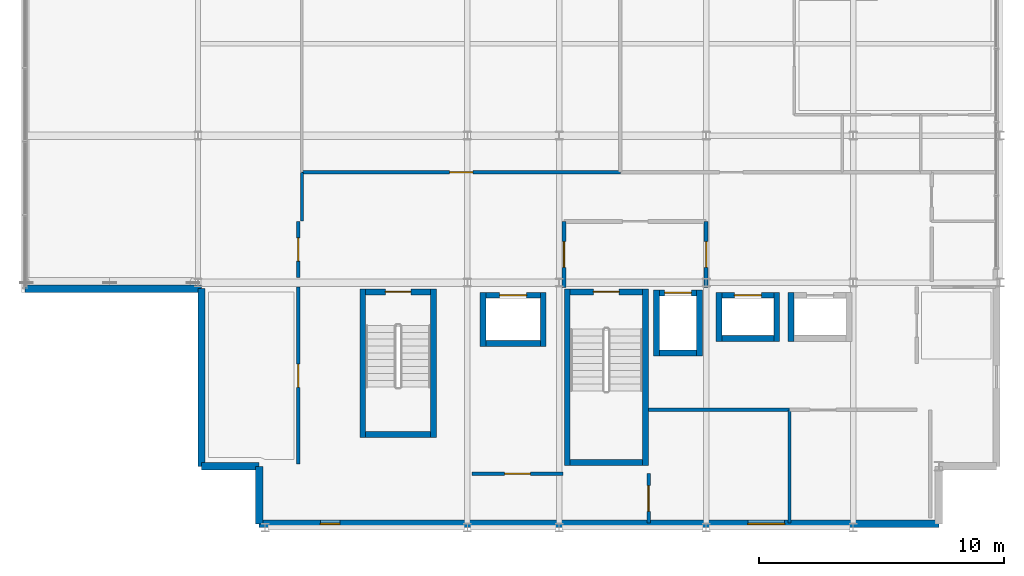
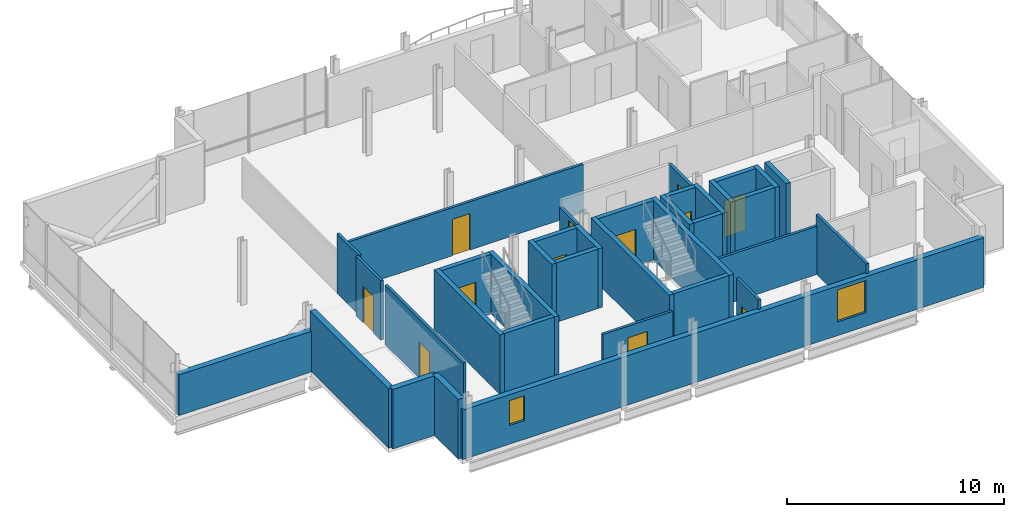
# One storey, part 14 of 18: 36 walls, 12 doors, 2 windows, 14 openings.
"""IFC4 building model written with IfcOpenShell, lengths in metres."""

from ifc_helpers import new_model, si_unit, direction, frame, frame_2d, origin, place, context, subcontext, project, spatial, rectangle, extrude, material, layer, layer_set, type_object, element, fill, save


model = new_model("IFC4")

# Units and contexts
model_context = context("Model", 3, precision=1e-05, world=origin(), true_north=direction((0.0, 1.0)))
body_context = subcontext(model_context, "Body", "Model", "MODEL_VIEW")
ifc_project = project(units=[si_unit("LENGTHUNIT", "METRE"), si_unit("AREAUNIT", "SQUARE_METRE"), si_unit("VOLUMEUNIT", "CUBIC_METRE"), si_unit("PLANEANGLEUNIT", "RADIAN"), si_unit("MASSUNIT", "GRAM", prefix="KILO")], contexts=[model_context])

# Site, building, storey
site_placement = place(None, origin())
site = spatial("IfcSite", under=ifc_project, at=site_placement, CompositionType="ELEMENT")
building_placement = place(site_placement, origin())
building = spatial("IfcBuilding", under=site, at=building_placement, Name="Brevholm Reach", CompositionType="ELEMENT")
storey_placement = place(building_placement, frame((0.0, 0.0, 240.050048828125)))
storey = spatial("IfcBuildingStorey", under=building, at=storey_placement, Name="L73", CompositionType="ELEMENT", Elevation=240.050048828125)

# Walls
ifc_material_1 = material(Name="Concrete C45/55", Category="concrete")
ifc_layer_1 = layer(ifc_material_1, 0.239990234375)
ifc_layer_set_1 = layer_set([ifc_layer_1], Name="Concrete C45/55")
wall_type_1 = type_object("IfcWallType", Name="WAL-COR-240", PredefinedType="SHEAR", material=ifc_layer_set_1)
for number, where, z_axis, x_axis, name in (
    (1, (42.330078125, 2.5400390625, 0.0), (0.0, 0.0, 1.0), (0.0, 1.0, 0.0), "L73 Escape Stair ST-2 Core Wall W"),
    (2, (45.52001953125, 2.5400390625, 0.0), (0.0, 0.0, 1.0), (0.0, 1.0, 0.0), "L73 Escape Stair ST-2 Core Wall E"),
):
    element("IfcWall", number, at=place(storey_placement, frame(where, z_axis=z_axis, x_axis=x_axis)), inside=storey, type_object=wall_type_1, Name=name, PredefinedType="SHEAR", context=body_context, shape_type="SweptSolid", body=[
        extrude(rectangle(XDim=7.199951171875, YDim=0.239990234375, at=frame_2d((3.60009765625, 0.0))), origin(), (0.0, 0.0, 1.0), 3.349853515625),
    ])
wall_1_placement = place(storey_placement, frame((42.449951171875, 2.659912109375, 0.0), z_axis=(0.0, 0.0, 1.0), x_axis=(1.0, 0.0, 0.0)))
element("IfcWall", 3, at=wall_1_placement, inside=storey, type_object=wall_type_1, Name="L73 Escape Stair ST-2 Core Wall S", PredefinedType="SHEAR", context=body_context, shape_type="SweptSolid", body=[
    extrude(rectangle(XDim=2.949951171875, YDim=0.239990234375, at=frame_2d((1.47509765625, 0.0))), origin(), (0.0, 0.0, 1.0), 3.349853515625),
])

# Wall, opening, door
wall_2_placement = place(storey_placement, frame((45.39990234375, 9.6201171875, 0.0), z_axis=(0.0, 0.0, 1.0), x_axis=(-1.0, 0.0, 0.0)))
wall_2 = element("IfcWall", 4, at=wall_2_placement, inside=storey, type_object=wall_type_1, Name="L73 Escape Stair ST-2 Core Wall N", PredefinedType="SHEAR", context=body_context, shape_type="SweptSolid", body=[
    extrude(rectangle(XDim=2.949951171875, YDim=0.239990234375, at=frame_2d((1.47509765625, 0.0))), origin(), (0.0, 0.0, 1.0), 3.349853515625),
])
opening_1_placement = place(wall_2_placement, frame((0.949951171875, 0.0, 0.0)))
opening_1 = element("IfcOpeningElement", 5, at=opening_1_placement, cuts=wall_2, Name="Opening SD-ST-2", PredefinedType="OPENING", context=body_context, shape_type="SweptSolid", body=[
    extrude(rectangle(XDim=1.050048828125, YDim=2.06005859375, at=frame_2d((0.52490234375, 1.030029296875))), frame((0.0, 0.1298828125, 0.0), z_axis=(0.0, -1.0, 0.0), x_axis=(1.0, 0.0, 0.0)), (0.0, 0.0, 1.0), 0.260009765625),
])
ifc_material_2 = material(Name="Hardwood-Lipped Steel-Core Fire and Smoke Door", Category="steel")
door_type_1 = type_object("IfcDoorType", Name="DOR-INT-FD60S", OperationType="NOTDEFINED", PredefinedType="DOOR", material=ifc_material_2)
door_1_placement = place(opening_1_placement, origin())
door_1 = element("IfcDoor", 6, at=door_1_placement, inside=storey, type_object=door_type_1, Name="L73 Protected Stair ST-2 Lobby Door", OperationType="SINGLE_SWING_RIGHT", OverallHeight=2.06005859375, OverallWidth=1.050048828125, PredefinedType="DOOR", context=body_context, shape_type="SweptSolid", body=[
    extrude(rectangle(XDim=1.050048828125, YDim=2.06005859375, at=frame_2d((0.52490234375, 1.030029296875))), frame((0.0, 0.02490234375, 0.0), z_axis=(0.0, -1.0, 0.0), x_axis=(1.0, 0.0, 0.0)), (0.0, 0.0, 1.0), 0.050048828125),
])
fill(opening_1, door_1)

# Walls
for number, where, z_axis, x_axis, name in (
    (7, (33.97998046875, 3.679931640625, 0.0), (0.0, 0.0, 1.0), (0.0, 1.0, 0.0), "L73 Escape Stair ST-3 Core Wall W"),
    (8, (36.8701171875, 3.679931640625, 0.0), (0.0, 0.0, 1.0), (0.0, 1.0, 0.0), "L73 Escape Stair ST-3 Core Wall E"),
):
    element("IfcWall", number, at=place(storey_placement, frame(where, z_axis=z_axis, x_axis=x_axis)), inside=storey, type_object=wall_type_1, Name=name, PredefinedType="SHEAR", context=body_context, shape_type="SweptSolid", body=[
        extrude(rectangle(XDim=6.06005859375, YDim=0.239990234375, at=frame_2d((3.030029296875, 0.0))), origin(), (0.0, 0.0, 1.0), 3.349853515625),
    ])
wall_3_placement = place(storey_placement, frame((34.10009765625, 3.800048828125, 0.0), z_axis=(0.0, 0.0, 1.0), x_axis=(1.0, 0.0, 0.0)))
element("IfcWall", 9, at=wall_3_placement, inside=storey, type_object=wall_type_1, Name="L73 Escape Stair ST-3 Core Wall S", PredefinedType="SHEAR", context=body_context, shape_type="SweptSolid", body=[
    extrude(rectangle(XDim=2.64990234375, YDim=0.239990234375, at=frame_2d((1.324951171875, 0.0))), origin(), (0.0, 0.0, 1.0), 3.349853515625),
])

# Wall, opening, door
wall_4_placement = place(storey_placement, frame((36.75, 9.6201171875, 0.0), z_axis=(0.0, 0.0, 1.0), x_axis=(-1.0, 0.0, 0.0)))
wall_4 = element("IfcWall", 10, at=wall_4_placement, inside=storey, type_object=wall_type_1, Name="L73 Escape Stair ST-3 Core Wall N", PredefinedType="SHEAR", context=body_context, shape_type="SweptSolid", body=[
    extrude(rectangle(XDim=2.64990234375, YDim=0.239990234375, at=frame_2d((1.324951171875, 0.0))), origin(), (0.0, 0.0, 1.0), 3.349853515625),
])
opening_2_placement = place(wall_4_placement, frame((0.800048828125, 0.0, 0.0)))
opening_2 = element("IfcOpeningElement", 11, at=opening_2_placement, cuts=wall_4, Name="Opening SD-ST-3", PredefinedType="OPENING", context=body_context, shape_type="SweptSolid", body=[
    extrude(rectangle(XDim=1.050048828125, YDim=2.06005859375, at=frame_2d((0.52490234375, 1.030029296875))), frame((0.0, 0.1298828125, 0.0), z_axis=(0.0, -1.0, 0.0), x_axis=(1.0, 0.0, 0.0)), (0.0, 0.0, 1.0), 0.260009765625),
])
door_2_placement = place(opening_2_placement, origin())
door_2 = element("IfcDoor", 12, at=door_2_placement, inside=storey, type_object=door_type_1, Name="L73 Protected Stair ST-3 Lobby Door", OperationType="SINGLE_SWING_RIGHT", OverallHeight=2.06005859375, OverallWidth=1.050048828125, PredefinedType="DOOR", context=body_context, shape_type="SweptSolid", body=[
    extrude(rectangle(XDim=1.050048828125, YDim=2.06005859375, at=frame_2d((0.52490234375, 1.030029296875))), frame((0.0, 0.02490234375, 0.0), z_axis=(0.0, -1.0, 0.0), x_axis=(1.0, 0.0, 0.0)), (0.0, 0.0, 1.0), 0.050048828125),
])
fill(opening_2, door_2)

# Walls
for number, where, z_axis, x_axis, name in (
    (13, (45.969970703125, 7.0, 0.0), (0.0, 0.0, 1.0), (0.0, 1.0, 0.0), "L73 Lift FFL-2 Shaft Wall W"),
    (14, (47.72998046875, 7.0, 0.0), (0.0, 0.0, 1.0), (0.0, 1.0, 0.0), "L73 Lift FFL-2 Shaft Wall E"),
):
    element("IfcWall", number, at=place(storey_placement, frame(where, z_axis=z_axis, x_axis=x_axis)), inside=storey, type_object=wall_type_1, Name=name, PredefinedType="SHEAR", context=body_context, shape_type="SweptSolid", body=[
        extrude(rectangle(XDim=2.699951171875, YDim=0.239990234375, at=frame_2d((1.35009765625, 0.0))), origin(), (0.0, 0.0, 1.0), 3.349853515625),
    ])
wall_5_placement = place(storey_placement, frame((46.090087890625, 7.1201171875, 0.0), z_axis=(0.0, 0.0, 1.0), x_axis=(1.0, 0.0, 0.0)))
element("IfcWall", 15, at=wall_5_placement, inside=storey, type_object=wall_type_1, Name="L73 Lift FFL-2 Shaft Wall S", PredefinedType="SHEAR", context=body_context, shape_type="SweptSolid", body=[
    extrude(rectangle(XDim=1.52001953125, YDim=0.239990234375, at=frame_2d((0.760009765625, 0.0))), origin(), (0.0, 0.0, 1.0), 3.349853515625),
])

# Wall, opening, door
wall_6_placement = place(storey_placement, frame((46.090087890625, 9.580078125, 0.0), z_axis=(0.0, 0.0, 1.0), x_axis=(1.0, 0.0, 0.0)))
wall_6 = element("IfcWall", 16, at=wall_6_placement, inside=storey, type_object=wall_type_1, Name="L73 Lift FFL-2 Shaft Wall N", PredefinedType="SHEAR", context=body_context, shape_type="SweptSolid", body=[
    extrude(rectangle(XDim=1.52001953125, YDim=0.239990234375, at=frame_2d((0.760009765625, 0.0))), origin(), (0.0, 0.0, 1.0), 3.349853515625),
])
opening_3_placement = place(wall_6_placement, frame((0.2099609375, 0.0, 0.0)))
opening_3 = element("IfcOpeningElement", 17, at=opening_3_placement, cuts=wall_6, Name="Opening LD-FFL-2", PredefinedType="OPENING", context=body_context, shape_type="SweptSolid", body=[
    extrude(rectangle(XDim=1.10009765625, YDim=2.06005859375, at=frame_2d((0.550048828125, 1.030029296875))), frame((0.0, 0.1298828125, 0.0), z_axis=(0.0, -1.0, 0.0), x_axis=(1.0, 0.0, 0.0)), (0.0, 0.0, 1.0), 0.260009765625),
])
ifc_material_3 = material(Name="Brushed Stainless Steel Fire-Rated Sliding Lift Door", Category="steel")
door_type_2 = type_object("IfcDoorType", Name="DOR-LFT-1100", OperationType="NOTDEFINED", PredefinedType="DOOR", material=ifc_material_3)
door_3_placement = place(opening_3_placement, origin())
door_3 = element("IfcDoor", 18, at=door_3_placement, inside=storey, type_object=door_type_2, Name="L73 Lift FFL-2 Sliding Landing Door", OperationType="SLIDING_TO_RIGHT", OverallHeight=2.06005859375, OverallWidth=1.10009765625, PredefinedType="DOOR", context=body_context, shape_type="SweptSolid", body=[
    extrude(rectangle(XDim=1.10009765625, YDim=2.06005859375, at=frame_2d((0.550048828125, 1.030029296875))), frame((0.0, 0.02490234375, 0.0), z_axis=(0.0, -1.0, 0.0), x_axis=(1.0, 0.0, 0.0)), (0.0, 0.0, 1.0), 0.050048828125),
])
fill(opening_3, door_3)

# Walls
for number, where, z_axis, x_axis, name in (
    (19, (38.889892578125, 7.39990234375, 0.0), (0.0, 0.0, 1.0), (0.0, 1.0, 0.0), "L73 Lift PL-S1 Shaft Wall W"),
    (20, (41.35009765625, 7.39990234375, 0.0), (0.0, 0.0, 1.0), (0.0, 1.0, 0.0), "L73 Lift PL-S1 Shaft Wall E"),
):
    element("IfcWall", number, at=place(storey_placement, frame(where, z_axis=z_axis, x_axis=x_axis)), inside=storey, type_object=wall_type_1, Name=name, PredefinedType="SHEAR", context=body_context, shape_type="SweptSolid", body=[
        extrude(rectangle(XDim=2.2001953125, YDim=0.239990234375, at=frame_2d((1.10009765625, 0.0))), origin(), (0.0, 0.0, 1.0), 3.349853515625),
    ])
wall_7_placement = place(storey_placement, frame((39.010009765625, 7.52001953125, 0.0), z_axis=(0.0, 0.0, 1.0), x_axis=(1.0, 0.0, 0.0)))
element("IfcWall", 21, at=wall_7_placement, inside=storey, type_object=wall_type_1, Name="L73 Lift PL-S1 Shaft Wall S", PredefinedType="SHEAR", context=body_context, shape_type="SweptSolid", body=[
    extrude(rectangle(XDim=2.219970703125, YDim=0.239990234375, at=frame_2d((1.10986328125, 0.0))), origin(), (0.0, 0.0, 1.0), 3.349853515625),
])

# Wall, opening, door
wall_8_placement = place(storey_placement, frame((39.010009765625, 9.47998046875, 0.0), z_axis=(0.0, 0.0, 1.0), x_axis=(1.0, 0.0, 0.0)))
wall_8 = element("IfcWall", 22, at=wall_8_placement, inside=storey, type_object=wall_type_1, Name="L73 Lift PL-S1 Shaft Wall N", PredefinedType="SHEAR", context=body_context, shape_type="SweptSolid", body=[
    extrude(rectangle(XDim=2.219970703125, YDim=0.239990234375, at=frame_2d((1.10986328125, 0.0))), origin(), (0.0, 0.0, 1.0), 3.349853515625),
])
opening_4_placement = place(wall_8_placement, frame((0.56005859375, 0.0, 0.0)))
opening_4 = element("IfcOpeningElement", 23, at=opening_4_placement, cuts=wall_8, Name="Opening LD-PL-S1", PredefinedType="OPENING", context=body_context, shape_type="SweptSolid", body=[
    extrude(rectangle(XDim=1.10009765625, YDim=2.06005859375, at=frame_2d((0.550048828125, 1.030029296875))), frame((0.0, 0.1298828125, 0.0), z_axis=(0.0, -1.0, 0.0), x_axis=(1.0, 0.0, 0.0)), (0.0, 0.0, 1.0), 0.260009765625),
])
door_4_placement = place(opening_4_placement, origin())
door_4 = element("IfcDoor", 24, at=door_4_placement, inside=storey, type_object=door_type_2, Name="L73 Lift PL-S1 Sliding Landing Door", OperationType="SLIDING_TO_LEFT", OverallHeight=2.06005859375, OverallWidth=1.10009765625, PredefinedType="DOOR", context=body_context, shape_type="SweptSolid", body=[
    extrude(rectangle(XDim=1.10009765625, YDim=2.06005859375, at=frame_2d((0.550048828125, 1.030029296875))), frame((0.0, 0.02490234375, 0.0), z_axis=(0.0, -1.0, 0.0), x_axis=(1.0, 0.0, 0.0)), (0.0, 0.0, 1.0), 0.050048828125),
])
fill(opening_4, door_4)

# Walls
for number, where, z_axis, x_axis, name in (
    (25, (48.52001953125, 7.60009765625, 0.0), (0.0, 0.0, 1.0), (0.0, 1.0, 0.0), "L73 Lift PL-H1 Shaft Wall W"),
    (26, (50.8798828125, 7.60009765625, 0.0), (0.0, 0.0, 1.0), (0.0, 1.0, 0.0), "L73 Lift PL-H1 Shaft Wall E"),
):
    element("IfcWall", number, at=place(storey_placement, frame(where, z_axis=z_axis, x_axis=x_axis)), inside=storey, type_object=wall_type_1, Name=name, PredefinedType="SHEAR", context=body_context, shape_type="SweptSolid", body=[
        extrude(rectangle(XDim=2.0, YDim=0.239990234375, at=frame_2d((1.0, 0.0))), origin(), (0.0, 0.0, 1.0), 3.349853515625),
    ])
wall_9_placement = place(storey_placement, frame((48.639892578125, 7.719970703125, 0.0), z_axis=(0.0, 0.0, 1.0), x_axis=(1.0, 0.0, 0.0)))
element("IfcWall", 27, at=wall_9_placement, inside=storey, type_object=wall_type_1, Name="L73 Lift PL-H1 Shaft Wall S", PredefinedType="SHEAR", context=body_context, shape_type="SweptSolid", body=[
    extrude(rectangle(XDim=2.1201171875, YDim=0.239990234375, at=frame_2d((1.06005859375, 0.0))), origin(), (0.0, 0.0, 1.0), 3.349853515625),
])

# Wall, opening, door
wall_10_placement = place(storey_placement, frame((48.639892578125, 9.47998046875, 0.0), z_axis=(0.0, 0.0, 1.0), x_axis=(1.0, 0.0, 0.0)))
wall_10 = element("IfcWall", 28, at=wall_10_placement, inside=storey, type_object=wall_type_1, Name="L73 Lift PL-H1 Shaft Wall N", PredefinedType="SHEAR", context=body_context, shape_type="SweptSolid", body=[
    extrude(rectangle(XDim=2.1201171875, YDim=0.239990234375, at=frame_2d((1.06005859375, 0.0))), origin(), (0.0, 0.0, 1.0), 3.349853515625),
])
opening_5_placement = place(wall_10_placement, frame((0.510009765625, 0.0, 0.0)))
opening_5 = element("IfcOpeningElement", 29, at=opening_5_placement, cuts=wall_10, Name="Opening LD-PL-H1", PredefinedType="OPENING", context=body_context, shape_type="SweptSolid", body=[
    extrude(rectangle(XDim=1.10009765625, YDim=2.06005859375, at=frame_2d((0.550048828125, 1.030029296875))), frame((0.0, 0.1298828125, 0.0), z_axis=(0.0, -1.0, 0.0), x_axis=(1.0, 0.0, 0.0)), (0.0, 0.0, 1.0), 0.260009765625),
])
door_5_placement = place(opening_5_placement, origin())
door_5 = element("IfcDoor", 30, at=door_5_placement, inside=storey, type_object=door_type_2, Name="L73 Lift PL-H1 Sliding Landing Door", OperationType="SLIDING_TO_RIGHT", OverallHeight=2.06005859375, OverallWidth=1.10009765625, PredefinedType="DOOR", context=body_context, shape_type="SweptSolid", body=[
    extrude(rectangle(XDim=1.10009765625, YDim=2.06005859375, at=frame_2d((0.550048828125, 1.030029296875))), frame((0.0, 0.02490234375, 0.0), z_axis=(0.0, -1.0, 0.0), x_axis=(1.0, 0.0, 0.0)), (0.0, 0.0, 1.0), 0.050048828125),
])
fill(opening_5, door_5)

# Walls
wall_11_placement = place(storey_placement, frame((51.469970703125, 7.60009765625, 0.0), z_axis=(0.0, 0.0, 1.0), x_axis=(0.0, 1.0, 0.0)))
element("IfcWall", 31, at=wall_11_placement, inside=storey, type_object=wall_type_1, Name="L73 Lift PL-H2 Shaft Wall W", PredefinedType="SHEAR", context=body_context, shape_type="SweptSolid", body=[
    extrude(rectangle(XDim=2.0, YDim=0.239990234375, at=frame_2d((1.0, 0.0))), origin(), (0.0, 0.0, 1.0), 3.349853515625),
])
ifc_material_4 = material(Name="Concrete C40/50", Category="concrete")
ifc_layer_2 = layer(ifc_material_4, 0.300048828125)
ifc_layer_set_2 = layer_set([ifc_layer_2], Name="Concrete C40/50")
wall_type_2 = type_object("IfcWallType", Name="WAL-EXT-300", PredefinedType="STANDARD", material=ifc_layer_set_2)
for number, where, z_axis, x_axis, name in (
    (32, (29.75, 2.5, 0.0), (0.0, 0.0, 1.0), (0.0, -1.0, 0.0), "L73 Facade Wall WAL-L73-CSW1"),
    (33, (27.39990234375, 2.5, 0.0), (0.0, 0.0, 1.0), (1.0, 0.0, 0.0), "L73 Facade Wall WAL-L73-CSW2"),
):
    element("IfcWall", number, at=place(storey_placement, frame(where, z_axis=z_axis, x_axis=x_axis)), inside=storey, type_object=wall_type_2, Name=name, PredefinedType="STANDARD", context=body_context, shape_type="SweptSolid", body=[
        extrude(rectangle(XDim=2.35009765625, YDim=0.300048828125, at=frame_2d((1.175048828125, 0.0))), origin(), (0.0, 0.0, 1.0), 3.349853515625),
    ])

# Wall, openings, windows
wall_12_placement = place(storey_placement, frame((29.75, 0.14990234375, 0.0), z_axis=(0.0, 0.0, 1.0), x_axis=(1.0, 0.0, 0.0)))
wall_12 = element("IfcWall", 34, at=wall_12_placement, inside=storey, type_object=wall_type_2, Name="L73 Facade Wall WAL-L73-S", PredefinedType="STANDARD", context=body_context, shape_type="SweptSolid", body=[
    extrude(rectangle(XDim=27.75, YDim=0.300048828125, at=frame_2d((13.875, 0.0))), origin(), (0.0, 0.0, 1.0), 2.785400390625),
])
opening_6_placement = place(wall_12_placement, frame((2.5, 0.0, 1.050048828125)))
opening_6 = element("IfcOpeningElement", 35, at=opening_6_placement, cuts=wall_12, Name="Opening WN-11", PredefinedType="OPENING", context=body_context, shape_type="SweptSolid", body=[
    extrude(rectangle(XDim=0.800048828125, YDim=1.39990234375, at=frame_2d((0.39990234375, 0.699951171875))), frame((0.0, 0.159912109375, 0.0), z_axis=(0.0, -1.0, 0.0), x_axis=(1.0, 0.0, 0.0)), (0.0, 0.0, 1.0), 0.320068359375),
])
opening_7_placement = place(wall_12_placement, frame((19.949951171875, 0.0, 0.764892578125)))
opening_7 = element("IfcOpeningElement", 36, at=opening_7_placement, cuts=wall_12, Name="Opening WN-05", PredefinedType="OPENING", context=body_context, shape_type="SweptSolid", body=[
    extrude(rectangle(XDim=1.5, YDim=1.800048828125, at=frame_2d((0.75, 0.89990234375))), frame((0.0, 0.159912109375, 0.0), z_axis=(0.0, -1.0, 0.0), x_axis=(1.0, 0.0, 0.0)), (0.0, 0.0, 1.0), 0.320068359375),
])
ifc_material_5 = material(Name="Dark Anodised Aluminium and Solar-Control IGU Glass", Category="aluminium")
window_type_1 = type_object("IfcWindowType", Name="WIN-COR-0800", PartitioningType="SINGLE_PANEL", PredefinedType="WINDOW", material=ifc_material_5)
window_1_placement = place(opening_6_placement, origin())
window_1 = element("IfcWindow", 37, at=window_1_placement, inside=storey, type_object=window_type_1, Name="L73 Window WIN-L73-S-1", OverallHeight=1.39990234375, OverallWidth=0.800048828125, PartitioningType="SINGLE_PANEL", PredefinedType="WINDOW", context=body_context, shape_type="SweptSolid", body=[
    extrude(rectangle(XDim=0.800048828125, YDim=1.39990234375, at=frame_2d((0.39990234375, 0.699951171875))), frame((0.0, 0.030029296875, 0.0), z_axis=(0.0, -1.0, 0.0), x_axis=(1.0, 0.0, 0.0)), (0.0, 0.0, 1.0), 0.06005859375),
])
fill(opening_6, window_1)
ifc_material_6 = material(Name="Dark Anodised Aluminium and Solar-Control IGU Glass", Category="aluminium")
window_type_2 = type_object("IfcWindowType", Name="WIN-RES-1500", PartitioningType="SINGLE_PANEL", PredefinedType="WINDOW", material=ifc_material_6)
window_2_placement = place(opening_7_placement, origin())
window_2 = element("IfcWindow", 38, at=window_2_placement, inside=storey, type_object=window_type_2, Name="L73 Window WIN-L73-S-2", OverallHeight=1.800048828125, OverallWidth=1.5, PartitioningType="SINGLE_PANEL", PredefinedType="WINDOW", context=body_context, shape_type="SweptSolid", body=[
    extrude(rectangle(XDim=1.5, YDim=1.800048828125, at=frame_2d((0.75, 0.89990234375))), frame((0.0, 0.030029296875, 0.0), z_axis=(0.0, -1.0, 0.0), x_axis=(1.0, 0.0, 0.0)), (0.0, 0.0, 1.0), 0.06005859375),
])
fill(opening_7, window_2)

# Walls
wall_13_placement = place(storey_placement, frame((27.39990234375, 9.75, 0.0), z_axis=(0.0, 0.0, 1.0), x_axis=(0.0, -1.0, 0.0)))
element("IfcWall", 39, at=wall_13_placement, inside=storey, type_object=wall_type_2, Name="L73 Facade Wall WAL-L73-W-S", PredefinedType="STANDARD", context=body_context, shape_type="SweptSolid", body=[
    extrude(rectangle(XDim=7.25, YDim=0.300048828125, at=frame_2d((3.625, 0.0))), origin(), (0.0, 0.0, 1.0), 3.349853515625),
])
wall_14_placement = place(storey_placement, frame((27.39990234375, 9.75, 0.0), z_axis=(0.0, 0.0, 1.0), x_axis=(-1.0, 0.0, 0.0)))
element("IfcWall", 40, at=wall_14_placement, inside=storey, type_object=wall_type_2, Name="L73 Facade Wall WAL-L73-CANT-S", PredefinedType="STANDARD", context=body_context, shape_type="SweptSolid", body=[
    extrude(rectangle(XDim=7.199951171875, YDim=0.300048828125, at=frame_2d((3.60009765625, 0.0))), origin(), (0.0, 0.0, 1.0), 2.28857421875),
])

# Wall, opening, door
ifc_material_7 = material(Name="Twin-Stud Acoustic Fire-Rated Gypsum Partition 140 mm", Category="gypsum")
ifc_layer_3 = layer(ifc_material_7, 0.139892578125)
ifc_layer_set_3 = layer_set([ifc_layer_3], Name="Twin-Stud Acoustic Fire-Rated Gypsum Partition 140 mm")
wall_type_3 = type_object("IfcWallType", Name="WAL-PRT-140", PredefinedType="PARTITIONING", material=ifc_layer_set_3)
wall_15_placement = place(storey_placement, frame((31.35009765625, 2.588623046875, 0.0), z_axis=(0.0, 0.0, 1.0), x_axis=(0.0, 1.0, 0.0)))
wall_15 = element("IfcWall", 41, at=wall_15_placement, inside=storey, type_object=wall_type_3, Name="L73 Internal Partition 001", PredefinedType="PARTITIONING", context=body_context, shape_type="SweptSolid", body=[
    extrude(rectangle(XDim=7.22265625, YDim=0.139892578125, at=frame_2d((3.611328125, 0.0))), origin(), (0.0, 0.0, 1.0), 3.349853515625),
])
opening_8_placement = place(wall_15_placement, frame((3.13623046875, 0.0, 0.0)))
opening_8 = element("IfcOpeningElement", 42, at=opening_8_placement, cuts=wall_15, Name="Opening ID-30", PredefinedType="OPENING", context=body_context, shape_type="SweptSolid", body=[
    extrude(rectangle(XDim=0.949951171875, YDim=2.050048828125, at=frame_2d((0.47509765625, 1.02490234375))), frame((0.0, 0.079833984375, 0.0), z_axis=(0.0, -1.0, 0.0), x_axis=(1.0, 0.0, 0.0)), (0.0, 0.0, 1.0), 0.159912109375),
])
ifc_material_8 = material(Name="European Oak Veneered Solid-Core Fire Entrance Door", Category="timber")
door_type_3 = type_object("IfcDoorType", Name="DOR-FLT-FD30S", OperationType="NOTDEFINED", PredefinedType="DOOR", material=ifc_material_8)
door_6_placement = place(opening_8_placement, origin())
door_6 = element("IfcDoor", 43, at=door_6_placement, inside=storey, type_object=door_type_3, Name="L73 Internal Door 001", OperationType="SINGLE_SWING_LEFT", OverallHeight=2.050048828125, OverallWidth=0.949951171875, PredefinedType="DOOR", context=body_context, shape_type="SweptSolid", body=[
    extrude(rectangle(XDim=0.949951171875, YDim=2.050048828125, at=frame_2d((0.47509765625, 1.02490234375))), frame((0.0, 0.02490234375, 0.0), z_axis=(0.0, -1.0, 0.0), x_axis=(1.0, 0.0, 0.0)), (0.0, 0.0, 1.0), 0.050048828125),
])
fill(opening_8, door_6)

wall_16_placement = place(storey_placement, frame((31.35009765625, 10.208740234375, 0.0), z_axis=(0.0, 0.0, 1.0), x_axis=(0.0, 1.0, 0.0)))
wall_16 = element("IfcWall", 44, at=wall_16_placement, inside=storey, type_object=wall_type_3, Name="L73 Internal Partition 002", PredefinedType="PARTITIONING", context=body_context, shape_type="SweptSolid", body=[
    extrude(rectangle(XDim=2.291259765625, YDim=0.139892578125, at=frame_2d((1.1455078125, 0.0))), origin(), (0.0, 0.0, 1.0), 3.349853515625),
])
opening_9_placement = place(wall_16_placement, frame((0.670654296875, 0.0, 0.0)))
opening_9 = element("IfcOpeningElement", 45, at=opening_9_placement, cuts=wall_16, Name="Opening ID-30", PredefinedType="OPENING", context=body_context, shape_type="SweptSolid", body=[
    extrude(rectangle(XDim=0.949951171875, YDim=2.050048828125, at=frame_2d((0.47509765625, 1.02490234375))), frame((0.0, 0.079833984375, 0.0), z_axis=(0.0, -1.0, 0.0), x_axis=(1.0, 0.0, 0.0)), (0.0, 0.0, 1.0), 0.159912109375),
])
door_7_placement = place(opening_9_placement, origin())
door_7 = element("IfcDoor", 46, at=door_7_placement, inside=storey, type_object=door_type_3, Name="L73 Internal Door 002", OperationType="SINGLE_SWING_RIGHT", OverallHeight=2.050048828125, OverallWidth=0.949951171875, PredefinedType="DOOR", context=body_context, shape_type="SweptSolid", body=[
    extrude(rectangle(XDim=0.949951171875, YDim=2.050048828125, at=frame_2d((0.47509765625, 1.02490234375))), frame((0.0, 0.02490234375, 0.0), z_axis=(0.0, -1.0, 0.0), x_axis=(1.0, 0.0, 0.0)), (0.0, 0.0, 1.0), 0.050048828125),
])
fill(opening_9, door_7)

wall_17_placement = place(storey_placement, frame((38.438720703125, 2.199951171875, 0.0), z_axis=(0.0, 0.0, 1.0), x_axis=(1.0, 0.0, 0.0)))
wall_17 = element("IfcWall", 47, at=wall_17_placement, inside=storey, type_object=wall_type_3, Name="L73 Internal Partition 003", PredefinedType="PARTITIONING", context=body_context, shape_type="SweptSolid", body=[
    extrude(rectangle(XDim=3.72265625, YDim=0.139892578125, at=frame_2d((1.861328125, 0.0))), origin(), (0.0, 0.0, 1.0), 2.712646484375),
])
opening_10_placement = place(wall_17_placement, frame((1.336181640625, 0.0, 0.0)))
opening_10 = element("IfcOpeningElement", 48, at=opening_10_placement, cuts=wall_17, Name="Opening FD-01", PredefinedType="OPENING", context=body_context, shape_type="SweptSolid", body=[
    extrude(rectangle(XDim=1.050048828125, YDim=2.06005859375, at=frame_2d((0.52490234375, 1.030029296875))), frame((0.0, 0.079833984375, 0.0), z_axis=(0.0, -1.0, 0.0), x_axis=(1.0, 0.0, 0.0)), (0.0, 0.0, 1.0), 0.159912109375),
])
door_8_placement = place(opening_10_placement, origin())
door_8 = element("IfcDoor", 49, at=door_8_placement, inside=storey, type_object=door_type_1, Name="L73 Internal Door 003", OperationType="SINGLE_SWING_LEFT", OverallHeight=2.06005859375, OverallWidth=1.050048828125, PredefinedType="DOOR", context=body_context, shape_type="SweptSolid", body=[
    extrude(rectangle(XDim=1.050048828125, YDim=2.06005859375, at=frame_2d((0.52490234375, 1.030029296875))), frame((0.0, 0.02490234375, 0.0), z_axis=(0.0, -1.0, 0.0), x_axis=(1.0, 0.0, 0.0)), (0.0, 0.0, 1.0), 0.050048828125),
])
fill(opening_10, door_8)

wall_18_placement = place(storey_placement, frame((45.64990234375, 0.179931640625, 0.0), z_axis=(0.0, 0.0, 1.0), x_axis=(0.0, 1.0, 0.0)))
wall_18 = element("IfcWall", 50, at=wall_18_placement, inside=storey, type_object=wall_type_3, Name="L73 Internal Partition 004", PredefinedType="PARTITIONING", context=body_context, shape_type="SweptSolid", body=[
    extrude(rectangle(XDim=2.02001953125, YDim=0.139892578125, at=frame_2d((1.010009765625, 0.0))), origin(), (0.0, 0.0, 1.0), 3.349853515625),
])
opening_11_placement = place(wall_18_placement, frame((0.485107421875, 0.0, 0.0)))
opening_11 = element("IfcOpeningElement", 51, at=opening_11_placement, cuts=wall_18, Name="Opening FD-01", PredefinedType="OPENING", context=body_context, shape_type="SweptSolid", body=[
    extrude(rectangle(XDim=1.050048828125, YDim=2.06005859375, at=frame_2d((0.52490234375, 1.030029296875))), frame((0.0, 0.079833984375, 0.0), z_axis=(0.0, -1.0, 0.0), x_axis=(1.0, 0.0, 0.0)), (0.0, 0.0, 1.0), 0.159912109375),
])
door_9_placement = place(opening_11_placement, origin())
door_9 = element("IfcDoor", 52, at=door_9_placement, inside=storey, type_object=door_type_1, Name="L73 Internal Door 004", OperationType="SINGLE_SWING_RIGHT", OverallHeight=2.06005859375, OverallWidth=1.050048828125, PredefinedType="DOOR", context=body_context, shape_type="SweptSolid", body=[
    extrude(rectangle(XDim=1.050048828125, YDim=2.06005859375, at=frame_2d((0.52490234375, 1.030029296875))), frame((0.0, 0.02490234375, 0.0), z_axis=(0.0, -1.0, 0.0), x_axis=(1.0, 0.0, 0.0)), (0.0, 0.0, 1.0), 0.050048828125),
])
fill(opening_11, door_9)

# Walls
wall_19_placement = place(storey_placement, frame((45.64990234375, 4.800048828125, 0.0), z_axis=(0.0, 0.0, 1.0), x_axis=(1.0, 0.0, 0.0)))
element("IfcWall", 53, at=wall_19_placement, inside=storey, type_object=wall_type_3, Name="L73 Internal Partition 005", PredefinedType="PARTITIONING", context=body_context, shape_type="SweptSolid", body=[
    extrude(rectangle(XDim=5.761474609375, YDim=0.139892578125, at=frame_2d((2.880859375, 0.0))), origin(), (0.0, 0.0, 1.0), 2.712646484375),
])
wall_20_placement = place(storey_placement, frame((51.39990234375, 0.179931640625, 0.0), z_axis=(0.0, 0.0, 1.0), x_axis=(0.0, 1.0, 0.0)))
element("IfcWall", 54, at=wall_20_placement, inside=storey, type_object=wall_type_3, Name="L73 Internal Partition 009", PredefinedType="PARTITIONING", context=body_context, shape_type="SweptSolid", body=[
    extrude(rectangle(XDim=4.615966796875, YDim=0.139892578125, at=frame_2d((2.30810546875, 0.0))), origin(), (0.0, 0.0, 1.0), 3.349853515625),
])
wall_21_placement = place(storey_placement, frame((31.5, 12.50390625, 0.0), z_axis=(0.0, 0.0, 1.0), x_axis=(0.0, 1.0, 0.0)))
element("IfcWall", 55, at=wall_21_placement, inside=storey, type_object=wall_type_3, Name="L73 Internal Partition 015", PredefinedType="PARTITIONING", context=body_context, shape_type="SweptSolid", body=[
    extrude(rectangle(XDim=1.99609375, YDim=0.139892578125, at=frame_2d((0.998046875, 0.0))), origin(), (0.0, 0.0, 1.0), 3.349853515625),
])

# Wall, opening, door
wall_22_placement = place(storey_placement, frame((31.5, 14.5, 0.0), z_axis=(0.0, 0.0, 1.0), x_axis=(1.0, 0.0, 0.0)))
wall_22 = element("IfcWall", 56, at=wall_22_placement, inside=storey, type_object=wall_type_3, Name="L73 Internal Partition 016", PredefinedType="PARTITIONING", context=body_context, shape_type="SweptSolid", body=[
    extrude(rectangle(XDim=13.01123046875, YDim=0.139892578125, at=frame_2d((6.505615234375, 0.0))), origin(), (0.0, 0.0, 1.0), 2.712646484375),
])
opening_12_placement = place(wall_22_placement, frame((6.030517578125, 0.0, 0.0)))
opening_12 = element("IfcOpeningElement", 57, at=opening_12_placement, cuts=wall_22, Name="Opening ID-30", PredefinedType="OPENING", context=body_context, shape_type="SweptSolid", body=[
    extrude(rectangle(XDim=0.949951171875, YDim=2.050048828125, at=frame_2d((0.47509765625, 1.02490234375))), frame((0.0, 0.079833984375, 0.0), z_axis=(0.0, -1.0, 0.0), x_axis=(1.0, 0.0, 0.0)), (0.0, 0.0, 1.0), 0.159912109375),
])
door_10_placement = place(opening_12_placement, origin())
door_10 = element("IfcDoor", 58, at=door_10_placement, inside=storey, type_object=door_type_3, Name="L73 Internal Door 011", OperationType="SINGLE_SWING_LEFT", OverallHeight=2.050048828125, OverallWidth=0.949951171875, PredefinedType="DOOR", context=body_context, shape_type="SweptSolid", body=[
    extrude(rectangle(XDim=0.949951171875, YDim=2.050048828125, at=frame_2d((0.47509765625, 1.02490234375))), frame((0.0, 0.02490234375, 0.0), z_axis=(0.0, -1.0, 0.0), x_axis=(1.0, 0.0, 0.0)), (0.0, 0.0, 1.0), 0.050048828125),
])
fill(opening_12, door_10)

ifc_material_9 = material(Name="Twin-Frame Fire-Rated Gypsum Board and Mineral Wool 160 mm", Category="gypsum")
ifc_layer_4 = layer(ifc_material_9, 0.159912109375)
ifc_layer_set_4 = layer_set([ifc_layer_4], Name="Twin-Frame Fire-Rated Gypsum Board and Mineral Wool 160 mm")
wall_type_4 = type_object("IfcWallType", Name="WAL-PRT-160", PredefinedType="PARTITIONING", material=ifc_layer_set_4)
wall_23_placement = place(storey_placement, frame((42.199951171875, 9.788818359375, 0.0), z_axis=(0.0, 0.0, 1.0), x_axis=(0.0, 1.0, 0.0)))
wall_23 = element("IfcWall", 59, at=wall_23_placement, inside=storey, type_object=wall_type_4, Name="L73 Internal Partition 010", PredefinedType="PARTITIONING", context=body_context, shape_type="SweptSolid", body=[
    extrude(rectangle(XDim=2.711181640625, YDim=0.159912109375, at=frame_2d((1.35546875, 0.0))), origin(), (0.0, 0.0, 1.0), 2.28857421875),
])
opening_13_placement = place(wall_23_placement, frame((0.83056640625, 0.0, 0.0)))
opening_13 = element("IfcOpeningElement", 60, at=opening_13_placement, cuts=wall_23, Name="Opening FD-01", PredefinedType="OPENING", context=body_context, shape_type="SweptSolid", body=[
    extrude(rectangle(XDim=1.050048828125, YDim=2.06005859375, at=frame_2d((0.52490234375, 1.030029296875))), frame((0.0, 0.08984375, 0.0), z_axis=(0.0, -1.0, 0.0), x_axis=(1.0, 0.0, 0.0)), (0.0, 0.0, 1.0), 0.179931640625),
])
door_11_placement = place(opening_13_placement, origin())
door_11 = element("IfcDoor", 61, at=door_11_placement, inside=storey, type_object=door_type_1, Name="L73 Internal Door 007", OperationType="SINGLE_SWING_LEFT", OverallHeight=2.06005859375, OverallWidth=1.050048828125, PredefinedType="DOOR", context=body_context, shape_type="SweptSolid", body=[
    extrude(rectangle(XDim=1.050048828125, YDim=2.06005859375, at=frame_2d((0.52490234375, 1.030029296875))), frame((0.0, 0.02490234375, 0.0), z_axis=(0.0, -1.0, 0.0), x_axis=(1.0, 0.0, 0.0)), (0.0, 0.0, 1.0), 0.050048828125),
])
fill(opening_13, door_11)

wall_24_placement = place(storey_placement, frame((48.0, 9.788818359375, 0.0), z_axis=(0.0, 0.0, 1.0), x_axis=(0.0, 1.0, 0.0)))
wall_24 = element("IfcWall", 62, at=wall_24_placement, inside=storey, type_object=wall_type_4, Name="L73 Internal Partition 011", PredefinedType="PARTITIONING", context=body_context, shape_type="SweptSolid", body=[
    extrude(rectangle(XDim=2.711181640625, YDim=0.159912109375, at=frame_2d((1.35546875, 0.0))), origin(), (0.0, 0.0, 1.0), 2.712646484375),
])
opening_14_placement = place(wall_24_placement, frame((0.83056640625, 0.0, 0.0)))
opening_14 = element("IfcOpeningElement", 63, at=opening_14_placement, cuts=wall_24, Name="Opening FD-01", PredefinedType="OPENING", context=body_context, shape_type="SweptSolid", body=[
    extrude(rectangle(XDim=1.050048828125, YDim=2.06005859375, at=frame_2d((0.52490234375, 1.030029296875))), frame((0.0, 0.08984375, 0.0), z_axis=(0.0, -1.0, 0.0), x_axis=(1.0, 0.0, 0.0)), (0.0, 0.0, 1.0), 0.179931640625),
])
door_12_placement = place(opening_14_placement, origin())
door_12 = element("IfcDoor", 64, at=door_12_placement, inside=storey, type_object=door_type_1, Name="L73 Internal Door 008", OperationType="SINGLE_SWING_RIGHT", OverallHeight=2.06005859375, OverallWidth=1.050048828125, PredefinedType="DOOR", context=body_context, shape_type="SweptSolid", body=[
    extrude(rectangle(XDim=1.050048828125, YDim=2.06005859375, at=frame_2d((0.52490234375, 1.030029296875))), frame((0.0, 0.02490234375, 0.0), z_axis=(0.0, -1.0, 0.0), x_axis=(1.0, 0.0, 0.0)), (0.0, 0.0, 1.0), 0.050048828125),
])
fill(opening_14, door_12)

save(model, "model.ifc")
